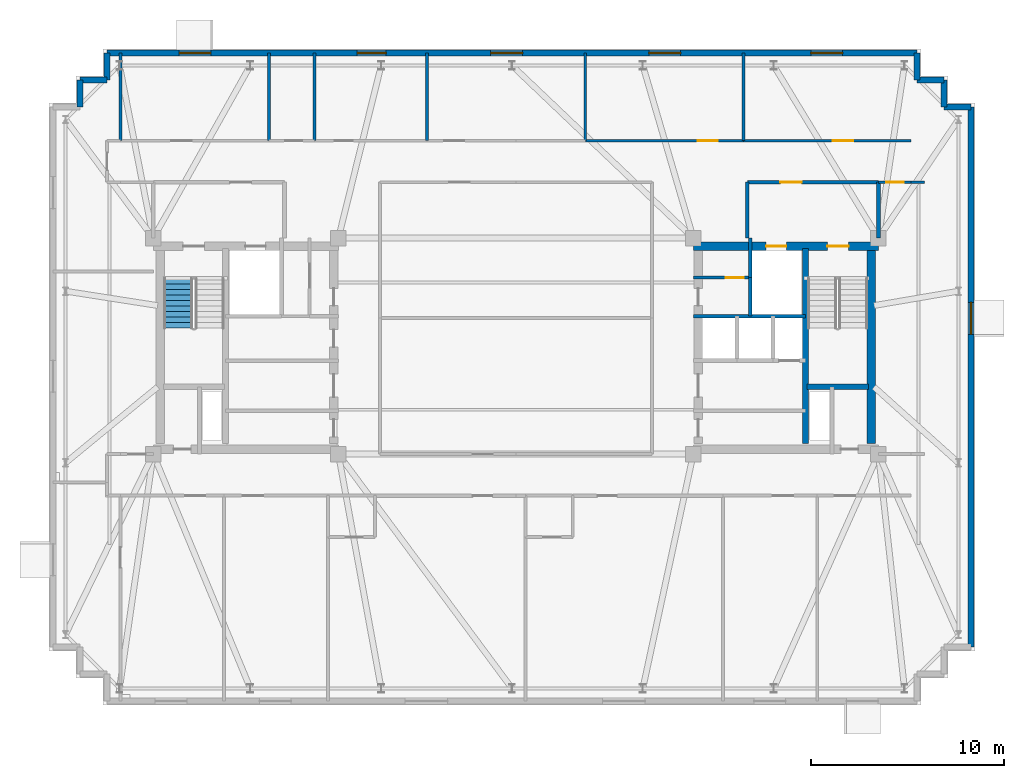
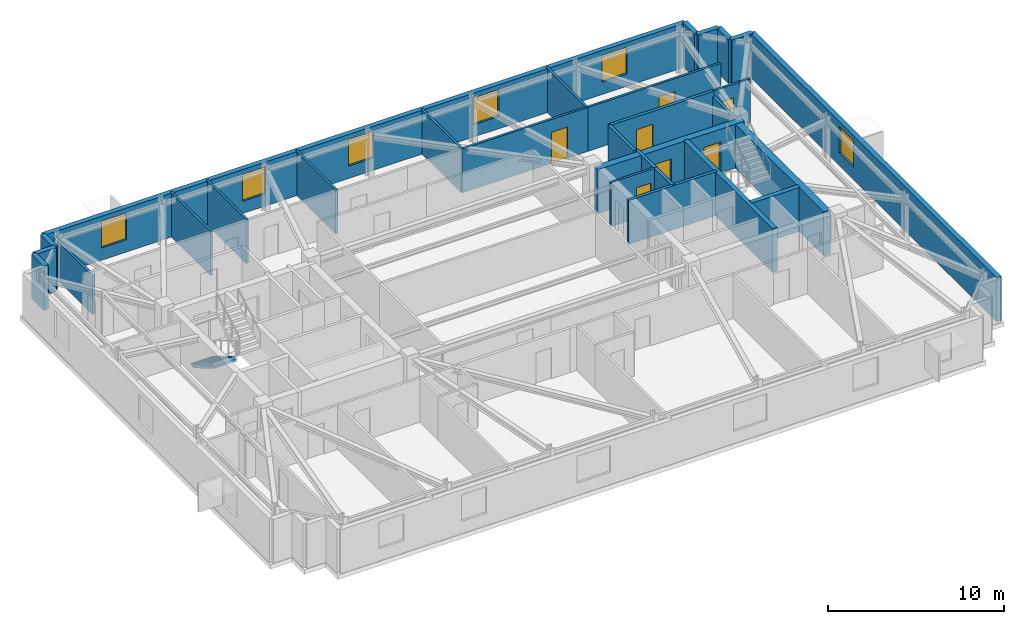
# One storey, part 8 of 11: 30 walls, 7 doors, 6 windows, 1 stair flight, 13 openings, 1 element without a shape of its own.
"""IFC4 building model written with IfcOpenShell, lengths in metres."""

from ifc_helpers import new_model, si_unit, direction, frame, frame_2d, origin, place, context, subcontext, project, spatial, polyline, rectangle, outline, extrude, material, layer, layer_set, type_object, element, fill, aggregate, save


model = new_model("IFC4")

# Units and contexts
model_context = context("Model", 3, precision=1e-05, world=origin(), true_north=direction((0.0, 1.0)))
body_context = subcontext(model_context, "Body", "Model", "MODEL_VIEW")
ifc_project = project(units=[si_unit("LENGTHUNIT", "METRE"), si_unit("AREAUNIT", "SQUARE_METRE"), si_unit("VOLUMEUNIT", "CUBIC_METRE"), si_unit("PLANEANGLEUNIT", "RADIAN"), si_unit("MASSUNIT", "GRAM", prefix="KILO")], contexts=[model_context])

# Site, building, storey
site_placement = place(None, origin())
site = spatial("IfcSite", under=ifc_project, at=site_placement, CompositionType="ELEMENT")
building_placement = place(site_placement, origin())
building = spatial("IfcBuilding", under=site, at=building_placement, Name="Qobustan Lattice House", CompositionType="ELEMENT")
storey_placement = place(building_placement, frame((0.0, 0.0, 255.10009765625)))
storey = spatial("IfcBuildingStorey", under=building, at=storey_placement, Name="L72", CompositionType="ELEMENT", Elevation=255.10009765625)

# Wall, openings, doors
ifc_material_1 = material(Name="Concrete C50/60", Category="concrete")
ifc_layer_1 = layer(ifc_material_1, 0.43994140625)
ifc_layer_set_1 = layer_set([ifc_layer_1], Name="Concrete C50/60")
wall_type_1 = type_object("IfcWallType", Name="WAL-CORE-440", PredefinedType="SHEAR", material=ifc_layer_set_1)
wall_1_placement = place(storey_placement, frame((9.199951171875, 5.179931640625, 0.0), z_axis=(0.0, 0.0, 1.0), x_axis=(1.0, 0.0, 0.0)))
wall_1 = element("IfcWall", 1, at=wall_1_placement, inside=storey, type_object=wall_type_1, Name="L72 split-core shear wall CE-N", PredefinedType="SHEAR", context=body_context, shape_type="SweptSolid", body=[
    extrude(rectangle(XDim=9.60009765625, YDim=0.43994140625, at=frame_2d((4.800048828125, 0.0))), origin(), (0.0, 0.0, 1.0), 3.039794921875),
])
opening_1_placement = place(wall_1_placement, frame((6.949951171875, 0.0, 0.0)))
opening_1 = element("IfcOpeningElement", 2, at=opening_1_placement, cuts=wall_1, Name="Opening SD-01", PredefinedType="OPENING", context=body_context, shape_type="SweptSolid", body=[
    extrude(rectangle(XDim=1.10009765625, YDim=2.14990234375, at=frame_2d((0.550048828125, 1.074951171875))), frame((0.0, 0.22998046875, 0.0), z_axis=(0.0, -1.0, 0.0), x_axis=(1.0, 0.0, 0.0)), (0.0, 0.0, 1.0), 0.4599609375),
])
opening_2_placement = place(wall_1_placement, frame((3.77490234375, 0.0, 0.0)))
opening_2 = element("IfcOpeningElement", 3, at=opening_2_placement, cuts=wall_1, Name="Opening LD-01", PredefinedType="OPENING", context=body_context, shape_type="SweptSolid", body=[
    extrude(rectangle(XDim=1.050048828125, YDim=2.10009765625, at=frame_2d((0.52490234375, 1.050048828125))), frame((0.0, 0.22998046875, 0.0), z_axis=(0.0, -1.0, 0.0), x_axis=(1.0, 0.0, 0.0)), (0.0, 0.0, 1.0), 0.4599609375),
])
ifc_material_2 = material(Name="Persian walnut timber and steel frame door", Category="steel")
door_type_1 = type_object("IfcDoorType", Name="DOR-LIFT-LD-1050x2100", OperationType="NOTDEFINED", PredefinedType="DOOR", material=ifc_material_2)
door_1_placement = place(opening_2_placement, origin())
door_1 = element("IfcDoor", 4, at=door_1_placement, inside=storey, type_object=door_type_1, Name="L72 firefighting lift FF-E landing door", OperationType="DOUBLE_DOOR_SLIDING", OverallHeight=2.10009765625, OverallWidth=1.050048828125, PredefinedType="DOOR", context=body_context, shape_type="SweptSolid", body=[
    extrude(rectangle(XDim=1.050048828125, YDim=2.10009765625, at=frame_2d((0.52490234375, 1.050048828125))), frame((0.0, 0.02490234375, 0.0), z_axis=(0.0, -1.0, 0.0), x_axis=(1.0, 0.0, 0.0)), (0.0, 0.0, 1.0), 0.050048828125),
])
fill(opening_2, door_1)
ifc_material_3 = material(Name="Persian walnut timber and steel frame door", Category="steel")
door_type_2 = type_object("IfcDoorType", Name="DOR-STAIR-FD-1100x2150", OperationType="NOTDEFINED", PredefinedType="DOOR", material=ifc_material_3)
door_2_placement = place(opening_1_placement, origin())
door_2 = element("IfcDoor", 5, at=door_2_placement, inside=storey, type_object=door_type_2, Name="L72 exit stair ST-E1 fire door", OperationType="SINGLE_SWING_LEFT", OverallHeight=2.14990234375, OverallWidth=1.10009765625, PredefinedType="DOOR", context=body_context, shape_type="SweptSolid", body=[
    extrude(rectangle(XDim=1.10009765625, YDim=2.14990234375, at=frame_2d((0.550048828125, 1.074951171875))), frame((0.0, 0.02490234375, 0.0), z_axis=(0.0, -1.0, 0.0), x_axis=(1.0, 0.0, 0.0)), (0.0, 0.0, 1.0), 0.050048828125),
])
fill(opening_1, door_2)

# Walls
wall_2_placement = place(storey_placement, frame((18.429931640625, -5.050048828125, 0.0), z_axis=(0.0, 0.0, 1.0), x_axis=(0.0, 1.0, 0.0)))
element("IfcWall", 6, at=wall_2_placement, inside=storey, type_object=wall_type_1, Name="L72 split-core shear wall CE-E", PredefinedType="SHEAR", context=body_context, shape_type="SweptSolid", body=[
    extrude(rectangle(XDim=10.10009765625, YDim=0.43994140625, at=frame_2d((5.050048828125, 0.0))), origin(), (0.0, 0.0, 1.0), 3.039794921875),
])
ifc_material_4 = material(Name="Concrete C50/60", Category="concrete")
ifc_layer_2 = layer(ifc_material_4, 0.280029296875)
ifc_layer_set_2 = layer_set([ifc_layer_2], Name="Concrete C50/60")
wall_type_2 = type_object("IfcWallType", Name="WAL-CORE-SPINE-280", PredefinedType="SHEAR", material=ifc_layer_set_2)
wall_3_placement = place(storey_placement, frame((15.02001953125, -5.050048828125, 0.0), z_axis=(0.0, 0.0, 1.0), x_axis=(0.0, 1.0, 0.0)))
element("IfcWall", 7, at=wall_3_placement, inside=storey, type_object=wall_type_2, Name="L72 split-core shear wall CE-M", PredefinedType="SHEAR", context=body_context, shape_type="SweptSolid", body=[
    extrude(rectangle(XDim=10.10009765625, YDim=0.300048828125, at=frame_2d((5.050048828125, 0.0))), origin(), (0.0, 0.0, 1.0), 3.039794921875),
])
wall_4_placement = place(storey_placement, frame((15.10009765625, -2.110107421875, 0.0), z_axis=(0.0, 0.0, 1.0), x_axis=(1.0, 0.0, 0.0)))
element("IfcWall", 8, at=wall_4_placement, inside=storey, type_object=wall_type_2, Name="L72 split-core shear wall CE-ST", PredefinedType="SHEAR", context=body_context, shape_type="SweptSolid", body=[
    extrude(rectangle(XDim=3.179931640625, YDim=0.300048828125, at=frame_2d((1.58984375, 0.0))), origin(), (0.0, 0.0, 1.0), 3.039794921875),
])
ifc_material_5 = material(Name="Precast concrete C40/50", Category="concrete")
ifc_layer_3 = layer(ifc_material_5, 0.320068359375)
ifc_layer_set_3 = layer_set([ifc_layer_3], Name="Precast concrete C40/50")
wall_type_3 = type_object("IfcWallType", Name="WAL-EXT-STONE-320", PredefinedType="SOLIDWALL", material=ifc_layer_set_3)
for number, where, z_axis, x_axis, name in (
    (9, (-22.60009765625, 12.39990234375, 0.0), (0.0, 0.0, 1.0), (0.0, 1.0, 0.0), "L72 exterior limestone-clad wall 7"),
    (10, (-22.60009765625, 13.800048828125, 0.0), (0.0, 0.0, 1.0), (1.0, 0.0, 0.0), "L72 exterior limestone-clad wall 8"),
):
    element("IfcWall", number, at=place(storey_placement, frame(where, z_axis=z_axis, x_axis=x_axis)), inside=storey, type_object=wall_type_3, Name=name, PredefinedType="SOLIDWALL", context=body_context, shape_type="SweptSolid", body=[
        extrude(rectangle(XDim=1.400146484375, YDim=0.320068359375, at=frame_2d((0.7001953125, 0.0))), origin(), (0.0, 0.0, 1.0), 3.039794921875),
    ])
wall_5_placement = place(storey_placement, frame((-21.199951171875, 13.800048828125, 0.0), z_axis=(0.0, 0.0, 1.0), x_axis=(0.0, 1.0, 0.0)))
element("IfcWall", 11, at=wall_5_placement, inside=storey, type_object=wall_type_3, Name="L72 exterior limestone-clad wall 9", PredefinedType="SOLIDWALL", context=body_context, shape_type="SweptSolid", body=[
    extrude(rectangle(XDim=1.39990234375, YDim=0.320068359375, at=frame_2d((0.699951171875, 0.0))), origin(), (0.0, 0.0, 1.0), 3.039794921875),
])

# Wall, openings, windows
wall_6_placement = place(storey_placement, frame((-21.199951171875, 15.199951171875, 0.0), z_axis=(0.0, 0.0, 1.0), x_axis=(1.0, 0.0, 0.0)))
wall_6 = element("IfcWall", 12, at=wall_6_placement, inside=storey, type_object=wall_type_3, Name="L72 exterior limestone-clad wall 10", PredefinedType="SOLIDWALL", context=body_context, shape_type="SweptSolid", body=[
    extrude(rectangle(XDim=42.0, YDim=0.320068359375, at=frame_2d((21.0, 0.0))), origin(), (0.0, 0.0, 1.0), 3.039794921875),
])
opening_3_placement = place(wall_6_placement, frame((3.735107421875, 0.0, 0.85009765625)))
opening_3 = element("IfcOpeningElement", 13, at=opening_3_placement, cuts=wall_6, Name="Opening WN-09", PredefinedType="OPENING", context=body_context, shape_type="SweptSolid", body=[
    extrude(rectangle(XDim=1.64990234375, YDim=1.85009765625, at=frame_2d((0.824951171875, 0.925048828125))), frame((0.0, 0.169921875, 0.0), z_axis=(0.0, -1.0, 0.0), x_axis=(1.0, 0.0, 0.0)), (0.0, 0.0, 1.0), 0.340087890625),
])
opening_4_placement = place(wall_6_placement, frame((12.969970703125, 0.0, 0.85009765625)))
opening_4 = element("IfcOpeningElement", 14, at=opening_4_placement, cuts=wall_6, Name="Opening WN-01", PredefinedType="OPENING", context=body_context, shape_type="SweptSolid", body=[
    extrude(rectangle(XDim=1.5, YDim=1.85009765625, at=frame_2d((0.75, 0.925048828125))), frame((0.0, 0.169921875, 0.0), z_axis=(0.0, -1.0, 0.0), x_axis=(1.0, 0.0, 0.0)), (0.0, 0.0, 1.0), 0.340087890625),
])
opening_5_placement = place(wall_6_placement, frame((19.89501953125, 0.0, 0.85009765625)))
opening_5 = element("IfcOpeningElement", 15, at=opening_5_placement, cuts=wall_6, Name="Opening WN-09", PredefinedType="OPENING", context=body_context, shape_type="SweptSolid", body=[
    extrude(rectangle(XDim=1.64990234375, YDim=1.85009765625, at=frame_2d((0.824951171875, 0.925048828125))), frame((0.0, 0.169921875, 0.0), z_axis=(0.0, -1.0, 0.0), x_axis=(1.0, 0.0, 0.0)), (0.0, 0.0, 1.0), 0.340087890625),
])
opening_6_placement = place(wall_6_placement, frame((28.094970703125, 0.0, 0.85009765625)))
opening_6 = element("IfcOpeningElement", 16, at=opening_6_placement, cuts=wall_6, Name="Opening WN-09", PredefinedType="OPENING", context=body_context, shape_type="SweptSolid", body=[
    extrude(rectangle(XDim=1.64990234375, YDim=1.85009765625, at=frame_2d((0.824951171875, 0.925048828125))), frame((0.0, 0.169921875, 0.0), z_axis=(0.0, -1.0, 0.0), x_axis=(1.0, 0.0, 0.0)), (0.0, 0.0, 1.0), 0.340087890625),
])
opening_7_placement = place(wall_6_placement, frame((36.4951171875, 0.0, 0.85009765625)))
opening_7 = element("IfcOpeningElement", 17, at=opening_7_placement, cuts=wall_6, Name="Opening WN-09", PredefinedType="OPENING", context=body_context, shape_type="SweptSolid", body=[
    extrude(rectangle(XDim=1.64990234375, YDim=1.85009765625, at=frame_2d((0.824951171875, 0.925048828125))), frame((0.0, 0.169921875, 0.0), z_axis=(0.0, -1.0, 0.0), x_axis=(1.0, 0.0, 0.0)), (0.0, 0.0, 1.0), 0.340087890625),
])
ifc_material_6 = material(Name="Double-glazed low-E aluminium window", Category="aluminium")
window_type_1 = type_object("IfcWindowType", Name="WIN-BED-1500x1850", PartitioningType="SINGLE_PANEL", PredefinedType="WINDOW", material=ifc_material_6)
window_1_placement = place(opening_4_placement, origin())
window_1 = element("IfcWindow", 18, at=window_1_placement, inside=storey, type_object=window_type_1, Name="L72 Laundry utility room window", OverallHeight=1.85009765625, OverallWidth=1.5, PartitioningType="SINGLE_PANEL", PredefinedType="WINDOW", context=body_context, shape_type="SweptSolid", body=[
    extrude(rectangle(XDim=1.5, YDim=1.85009765625, at=frame_2d((0.75, 0.925048828125))), frame((0.0, 0.030029296875, 0.0), z_axis=(0.0, -1.0, 0.0), x_axis=(1.0, 0.0, 0.0)), (0.0, 0.0, 1.0), 0.06005859375),
])
fill(opening_4, window_1)
ifc_material_7 = material(Name="Double-glazed low-E aluminium window", Category="aluminium")
window_type_2 = type_object("IfcWindowType", Name="WIN-STU-1650x1850", PartitioningType="SINGLE_PANEL", PredefinedType="WINDOW", material=ifc_material_7)
window_2_placement = place(opening_3_placement, origin())
window_2 = element("IfcWindow", 19, at=window_2_placement, inside=storey, type_object=window_type_2, Name="L72 Focus study room N1 window", OverallHeight=1.85009765625, OverallWidth=1.64990234375, PartitioningType="SINGLE_PANEL", PredefinedType="WINDOW", context=body_context, shape_type="SweptSolid", body=[
    extrude(rectangle(XDim=1.64990234375, YDim=1.85009765625, at=frame_2d((0.824951171875, 0.925048828125))), frame((0.0, 0.030029296875, 0.0), z_axis=(0.0, -1.0, 0.0), x_axis=(1.0, 0.0, 0.0)), (0.0, 0.0, 1.0), 0.06005859375),
])
fill(opening_3, window_2)
window_3_placement = place(opening_5_placement, origin())
window_3 = element("IfcWindow", 20, at=window_3_placement, inside=storey, type_object=window_type_2, Name="L72 Focus study room N3 window", OverallHeight=1.85009765625, OverallWidth=1.64990234375, PartitioningType="SINGLE_PANEL", PredefinedType="WINDOW", context=body_context, shape_type="SweptSolid", body=[
    extrude(rectangle(XDim=1.64990234375, YDim=1.85009765625, at=frame_2d((0.824951171875, 0.925048828125))), frame((0.0, 0.030029296875, 0.0), z_axis=(0.0, -1.0, 0.0), x_axis=(1.0, 0.0, 0.0)), (0.0, 0.0, 1.0), 0.06005859375),
])
fill(opening_5, window_3)
window_4_placement = place(opening_6_placement, origin())
window_4 = element("IfcWindow", 21, at=window_4_placement, inside=storey, type_object=window_type_2, Name="L72 Focus study room N4 window", OverallHeight=1.85009765625, OverallWidth=1.64990234375, PartitioningType="SINGLE_PANEL", PredefinedType="WINDOW", context=body_context, shape_type="SweptSolid", body=[
    extrude(rectangle(XDim=1.64990234375, YDim=1.85009765625, at=frame_2d((0.824951171875, 0.925048828125))), frame((0.0, 0.030029296875, 0.0), z_axis=(0.0, -1.0, 0.0), x_axis=(1.0, 0.0, 0.0)), (0.0, 0.0, 1.0), 0.06005859375),
])
fill(opening_6, window_4)
window_5_placement = place(opening_7_placement, origin())
window_5 = element("IfcWindow", 22, at=window_5_placement, inside=storey, type_object=window_type_2, Name="L72 Focus study room N5 window", OverallHeight=1.85009765625, OverallWidth=1.64990234375, PartitioningType="SINGLE_PANEL", PredefinedType="WINDOW", context=body_context, shape_type="SweptSolid", body=[
    extrude(rectangle(XDim=1.64990234375, YDim=1.85009765625, at=frame_2d((0.824951171875, 0.925048828125))), frame((0.0, 0.030029296875, 0.0), z_axis=(0.0, -1.0, 0.0), x_axis=(1.0, 0.0, 0.0)), (0.0, 0.0, 1.0), 0.06005859375),
])
fill(opening_7, window_5)

# Walls
for number, where, z_axis, x_axis, name in (
    (23, (20.800048828125, 15.199951171875, 0.0), (0.0, 0.0, 1.0), (0.0, -1.0, 0.0), "L72 exterior limestone-clad wall 11"),
    (24, (20.800048828125, 13.800048828125, 0.0), (0.0, 0.0, 1.0), (1.0, 0.0, 0.0), "L72 exterior limestone-clad wall 12"),
):
    element("IfcWall", number, at=place(storey_placement, frame(where, z_axis=z_axis, x_axis=x_axis)), inside=storey, type_object=wall_type_3, Name=name, PredefinedType="SOLIDWALL", context=body_context, shape_type="SweptSolid", body=[
        extrude(rectangle(XDim=1.39990234375, YDim=0.320068359375, at=frame_2d((0.699951171875, 0.0))), origin(), (0.0, 0.0, 1.0), 3.039794921875),
    ])
for number, where, z_axis, x_axis, name in (
    (25, (22.199951171875, 13.800048828125, 0.0), (0.0, 0.0, 1.0), (0.0, -1.0, 0.0), "L72 exterior limestone-clad wall 13"),
    (26, (22.199951171875, 12.39990234375, 0.0), (0.0, 0.0, 1.0), (1.0, 0.0, 0.0), "L72 exterior limestone-clad wall 14"),
):
    element("IfcWall", number, at=place(storey_placement, frame(where, z_axis=z_axis, x_axis=x_axis)), inside=storey, type_object=wall_type_3, Name=name, PredefinedType="SOLIDWALL", context=body_context, shape_type="SweptSolid", body=[
        extrude(rectangle(XDim=1.400146484375, YDim=0.320068359375, at=frame_2d((0.7001953125, 0.0))), origin(), (0.0, 0.0, 1.0), 3.039794921875),
    ])

# Wall, opening, window
wall_7_placement = place(storey_placement, frame((23.60009765625, 12.39990234375, 0.0), z_axis=(0.0, 0.0, 1.0), x_axis=(0.0, -1.0, 0.0)))
wall_7 = element("IfcWall", 27, at=wall_7_placement, inside=storey, type_object=wall_type_3, Name="L72 exterior limestone-clad wall 15", PredefinedType="SOLIDWALL", context=body_context, shape_type="SweptSolid", body=[
    extrude(rectangle(XDim=28.0, YDim=0.320068359375, at=frame_2d((14.0, 0.0))), origin(), (0.0, 0.0, 1.0), 3.039794921875),
])
opening_8_placement = place(wall_7_placement, frame((10.135009765625, 0.0, 0.85009765625)))
opening_8 = element("IfcOpeningElement", 28, at=opening_8_placement, cuts=wall_7, Name="Opening WN-09", PredefinedType="OPENING", context=body_context, shape_type="SweptSolid", body=[
    extrude(rectangle(XDim=1.64990234375, YDim=1.85009765625, at=frame_2d((0.824951171875, 0.925048828125))), frame((0.0, 0.169921875, 0.0), z_axis=(0.0, -1.0, 0.0), x_axis=(1.0, 0.0, 0.0)), (0.0, 0.0, 1.0), 0.340087890625),
])
window_6_placement = place(opening_8_placement, origin())
window_6 = element("IfcWindow", 29, at=window_6_placement, inside=storey, type_object=window_type_2, Name="L72 Communal study lounge window", OverallHeight=1.85009765625, OverallWidth=1.64990234375, PartitioningType="SINGLE_PANEL", PredefinedType="WINDOW", context=body_context, shape_type="SweptSolid", body=[
    extrude(rectangle(XDim=1.64990234375, YDim=1.85009765625, at=frame_2d((0.824951171875, 0.925048828125))), frame((0.0, 0.030029296875, 0.0), z_axis=(0.0, -1.0, 0.0), x_axis=(1.0, 0.0, 0.0)), (0.0, 0.0, 1.0), 0.06005859375),
])
fill(opening_8, window_6)

# Wall, opening, door
ifc_material_8 = material(Name="Acoustic twin-stud gypsum partition", Category="gypsum")
ifc_layer_4 = layer(ifc_material_8, 0.14990234375)
ifc_layer_set_4 = layer_set([ifc_layer_4], Name="Acoustic twin-stud gypsum partition")
wall_type_4 = type_object("IfcWallType", Name="WAL-PART-150", PredefinedType="PARTITIONING", material=ifc_layer_set_4)
wall_8_placement = place(storey_placement, frame((12.14990234375, 3.550048828125, 0.0), z_axis=(0.0, 0.0, 1.0), x_axis=(-1.0, 0.0, 0.0)))
wall_8 = element("IfcWall", 30, at=wall_8_placement, inside=storey, type_object=wall_type_4, Name="L72 interior partition 21", PredefinedType="PARTITIONING", context=body_context, shape_type="SweptSolid", body=[
    extrude(rectangle(XDim=2.949951171875, YDim=0.14990234375, at=frame_2d((1.47509765625, 0.0))), origin(), (0.0, 0.0, 1.0), 3.039794921875),
])
opening_9_placement = place(wall_8_placement, frame((0.324951171875, 0.0, 0.0)))
opening_9 = element("IfcOpeningElement", 31, at=opening_9_placement, cuts=wall_8, Name="Opening ID-01", PredefinedType="OPENING", context=body_context, shape_type="SweptSolid", body=[
    extrude(rectangle(XDim=0.949951171875, YDim=2.10009765625, at=frame_2d((0.47509765625, 1.050048828125))), frame((0.0, 0.0849609375, 0.0), z_axis=(0.0, -1.0, 0.0), x_axis=(1.0, 0.0, 0.0)), (0.0, 0.0, 1.0), 0.169921875),
])
ifc_material_9 = material(Name="Persian walnut timber and steel frame door", Category="steel")
door_type_3 = type_object("IfcDoorType", Name="DOR-ROOM-950x2100", OperationType="NOTDEFINED", PredefinedType="DOOR", material=ifc_material_9)
door_3_placement = place(opening_9_placement, origin())
door_3 = element("IfcDoor", 32, at=door_3_placement, inside=storey, type_object=door_type_3, Name="L72 Housekeeping utility foyer to Cleaner cupboard door", OperationType="SINGLE_SWING_LEFT", OverallHeight=2.10009765625, OverallWidth=0.949951171875, PredefinedType="DOOR", context=body_context, shape_type="SweptSolid", body=[
    extrude(rectangle(XDim=0.949951171875, YDim=2.10009765625, at=frame_2d((0.47509765625, 1.050048828125))), frame((0.0, 0.02490234375, 0.0), z_axis=(0.0, -1.0, 0.0), x_axis=(1.0, 0.0, 0.0)), (0.0, 0.0, 1.0), 0.050048828125),
])
fill(opening_9, door_3)

wall_9_placement = place(storey_placement, frame((20.5, 8.5, 0.0), z_axis=(0.0, 0.0, 1.0), x_axis=(-1.0, 0.0, 0.0)))
wall_9 = element("IfcWall", 33, at=wall_9_placement, inside=storey, type_object=wall_type_4, Name="L72 interior partition 40", PredefinedType="PARTITIONING", context=body_context, shape_type="SweptSolid", body=[
    extrude(rectangle(XDim=1.699951171875, YDim=0.14990234375, at=frame_2d((0.85009765625, 0.0))), origin(), (0.0, 0.0, 1.0), 3.039794921875),
])
opening_10_placement = place(wall_9_placement, frame((0.39990234375, 0.0, 0.0)))
opening_10 = element("IfcOpeningElement", 34, at=opening_10_placement, cuts=wall_9, Name="Opening WD-01", PredefinedType="OPENING", context=body_context, shape_type="SweptSolid", body=[
    extrude(rectangle(XDim=0.89990234375, YDim=2.10009765625, at=frame_2d((0.449951171875, 1.050048828125))), frame((0.0, 0.0849609375, 0.0), z_axis=(0.0, -1.0, 0.0), x_axis=(1.0, 0.0, 0.0)), (0.0, 0.0, 1.0), 0.169921875),
])
ifc_material_10 = material(Name="Persian walnut timber and steel frame door", Category="steel")
door_type_4 = type_object("IfcDoorType", Name="DOR-WET-900x2100", OperationType="NOTDEFINED", PredefinedType="DOOR", material=ifc_material_10)
door_4_placement = place(opening_10_placement, origin())
door_4 = element("IfcDoor", 35, at=door_4_placement, inside=storey, type_object=door_type_4, Name="L72 North-east floor corridor to Communal study lounge door", OperationType="SINGLE_SWING_LEFT", OverallHeight=2.10009765625, OverallWidth=0.89990234375, PredefinedType="DOOR", context=body_context, shape_type="SweptSolid", body=[
    extrude(rectangle(XDim=0.89990234375, YDim=2.10009765625, at=frame_2d((0.449951171875, 1.050048828125))), frame((0.0, 0.02490234375, 0.0), z_axis=(0.0, -1.0, 0.0), x_axis=(1.0, 0.0, 0.0)), (0.0, 0.0, 1.0), 0.050048828125),
])
fill(opening_10, door_4)

# Wall
wall_10_placement = place(storey_placement, frame((21.199951171875, 8.5, 0.0), z_axis=(0.0, 0.0, 1.0), x_axis=(-1.0, 0.0, 0.0)))
element("IfcWall", 36, at=wall_10_placement, inside=storey, type_object=wall_type_4, Name="L72 interior partition 41", PredefinedType="PARTITIONING", context=body_context, shape_type="SweptSolid", body=[
    extrude(rectangle(XDim=0.699951171875, YDim=0.14990234375, at=frame_2d((0.35009765625, 0.0))), origin(), (0.0, 0.0, 1.0), 3.039794921875),
])

# Wall, opening, door
wall_11_placement = place(storey_placement, frame((3.60009765625, 10.64990234375, 0.0), z_axis=(0.0, 0.0, 1.0), x_axis=(1.0, 0.0, 0.0)))
wall_11 = element("IfcWall", 37, at=wall_11_placement, inside=storey, type_object=wall_type_4, Name="L72 interior partition 43", PredefinedType="PARTITIONING", context=body_context, shape_type="SweptSolid", body=[
    extrude(rectangle(XDim=8.199951171875, YDim=0.14990234375, at=frame_2d((4.10009765625, 0.0))), origin(), (0.0, 0.0, 1.0), 3.039794921875),
])
opening_11_placement = place(wall_11_placement, frame((5.8212890625, 0.0, 0.0)))
opening_11 = element("IfcOpeningElement", 38, at=opening_11_placement, cuts=wall_11, Name="Opening ID-02", PredefinedType="OPENING", context=body_context, shape_type="SweptSolid", body=[
    extrude(rectangle(XDim=1.050048828125, YDim=2.14990234375, at=frame_2d((0.52490234375, 1.074951171875))), frame((0.0, 0.0849609375, 0.0), z_axis=(0.0, -1.0, 0.0), x_axis=(1.0, 0.0, 0.0)), (0.0, 0.0, 1.0), 0.169921875),
])
ifc_material_11 = material(Name="Persian walnut timber and steel frame door", Category="steel")
door_type_5 = type_object("IfcDoorType", Name="DOR-STUDY-1050x2150", OperationType="NOTDEFINED", PredefinedType="DOOR", material=ifc_material_11)
door_5_placement = place(opening_11_placement, origin())
door_5 = element("IfcDoor", 39, at=door_5_placement, inside=storey, type_object=door_type_5, Name="L72 North-east floor corridor to Focus study room N4 door", OperationType="SINGLE_SWING_RIGHT", OverallHeight=2.14990234375, OverallWidth=1.050048828125, PredefinedType="DOOR", context=body_context, shape_type="SweptSolid", body=[
    extrude(rectangle(XDim=1.050048828125, YDim=2.14990234375, at=frame_2d((0.52490234375, 1.074951171875))), frame((0.0, 0.02490234375, 0.0), z_axis=(0.0, -1.0, 0.0), x_axis=(1.0, 0.0, 0.0)), (0.0, 0.0, 1.0), 0.050048828125),
])
fill(opening_11, door_5)

wall_12_placement = place(storey_placement, frame((11.800048828125, 10.64990234375, 0.0), z_axis=(0.0, 0.0, 1.0), x_axis=(1.0, 0.0, 0.0)))
wall_12 = element("IfcWall", 40, at=wall_12_placement, inside=storey, type_object=wall_type_4, Name="L72 interior partition 44", PredefinedType="PARTITIONING", context=body_context, shape_type="SweptSolid", body=[
    extrude(rectangle(XDim=8.699951171875, YDim=0.14990234375, at=frame_2d((4.35009765625, 0.0))), origin(), (0.0, 0.0, 1.0), 3.039794921875),
])
opening_12_placement = place(wall_12_placement, frame((4.63623046875, 0.0, 0.0)))
opening_12 = element("IfcOpeningElement", 41, at=opening_12_placement, cuts=wall_12, Name="Opening ID-02", PredefinedType="OPENING", context=body_context, shape_type="SweptSolid", body=[
    extrude(rectangle(XDim=1.050048828125, YDim=2.14990234375, at=frame_2d((0.52490234375, 1.074951171875))), frame((0.0, 0.0849609375, 0.0), z_axis=(0.0, -1.0, 0.0), x_axis=(1.0, 0.0, 0.0)), (0.0, 0.0, 1.0), 0.169921875),
])
door_6_placement = place(opening_12_placement, origin())
door_6 = element("IfcDoor", 42, at=door_6_placement, inside=storey, type_object=door_type_5, Name="L72 North-east floor corridor to Focus study room N5 door", OperationType="SINGLE_SWING_LEFT", OverallHeight=2.14990234375, OverallWidth=1.050048828125, PredefinedType="DOOR", context=body_context, shape_type="SweptSolid", body=[
    extrude(rectangle(XDim=1.050048828125, YDim=2.14990234375, at=frame_2d((0.52490234375, 1.074951171875))), frame((0.0, 0.02490234375, 0.0), z_axis=(0.0, -1.0, 0.0), x_axis=(1.0, 0.0, 0.0)), (0.0, 0.0, 1.0), 0.050048828125),
])
fill(opening_12, door_6)

# Walls
wall_13_placement = place(storey_placement, frame((-20.5, 15.199951171875, 0.0), z_axis=(0.0, 0.0, 1.0), x_axis=(0.0, -1.0, 0.0)))
element("IfcWall", 43, at=wall_13_placement, inside=storey, type_object=wall_type_4, Name="L72 interior partition 71", PredefinedType="PARTITIONING", context=body_context, shape_type="SweptSolid", body=[
    extrude(rectangle(XDim=4.550048828125, YDim=0.14990234375, at=frame_2d((2.27490234375, 0.0))), origin(), (0.0, 0.0, 1.0), 2.664794921875),
])
for number, where, z_axis, x_axis, name in (
    (44, (-4.60009765625, 15.199951171875, 0.0), (0.0, 0.0, 1.0), (0.0, -1.0, 0.0), "L72 interior partition 74"),
    (45, (3.60009765625, 15.199951171875, 0.0), (0.0, 0.0, 1.0), (0.0, -1.0, 0.0), "L72 interior partition 75"),
    (46, (11.800048828125, 15.199951171875, 0.0), (0.0, 0.0, 1.0), (0.0, -1.0, 0.0), "L72 interior partition 76"),
):
    element("IfcWall", number, at=place(storey_placement, frame(where, z_axis=z_axis, x_axis=x_axis)), inside=storey, type_object=wall_type_4, Name=name, PredefinedType="PARTITIONING", context=body_context, shape_type="SweptSolid", body=[
        extrude(rectangle(XDim=4.550048828125, YDim=0.14990234375, at=frame_2d((2.27490234375, 0.0))), origin(), (0.0, 0.0, 1.0), 3.039794921875),
    ])

# Wall, opening, door
ifc_material_12 = material(Name="Two-hour gypsum fireboard acoustic partition", Category="gypsum")
ifc_layer_5 = layer(ifc_material_12, 0.199951171875)
ifc_layer_set_5 = layer_set([ifc_layer_5], Name="Two-hour gypsum fireboard acoustic partition")
wall_type_5 = type_object("IfcWallType", Name="WAL-PROT-200", PredefinedType="PARTITIONING", material=ifc_layer_set_5)
wall_14_placement = place(storey_placement, frame((18.800048828125, 8.5, 0.0), z_axis=(0.0, 0.0, 1.0), x_axis=(-1.0, 0.0, 0.0)))
wall_14 = element("IfcWall", 47, at=wall_14_placement, inside=storey, type_object=wall_type_5, Name="L72 interior partition 18", PredefinedType="PARTITIONING", context=body_context, shape_type="SweptSolid", body=[
    extrude(rectangle(XDim=6.800048828125, YDim=0.199951171875, at=frame_2d((3.39990234375, 0.0))), origin(), (0.0, 0.0, 1.0), 3.039794921875),
])
opening_13_placement = place(wall_14_placement, frame((3.985107421875, 0.0, 0.0)))
opening_13 = element("IfcOpeningElement", 48, at=opening_13_placement, cuts=wall_14, Name="Opening SD-01", PredefinedType="OPENING", context=body_context, shape_type="SweptSolid", body=[
    extrude(rectangle(XDim=1.10009765625, YDim=2.14990234375, at=frame_2d((0.550048828125, 1.074951171875))), frame((0.0, 0.10986328125, 0.0), z_axis=(0.0, -1.0, 0.0), x_axis=(1.0, 0.0, 0.0)), (0.0, 0.0, 1.0), 0.219970703125),
])
door_7_placement = place(opening_13_placement, origin())
door_7 = element("IfcDoor", 49, at=door_7_placement, inside=storey, type_object=door_type_2, Name="L72 East firefighting lift lobby to North-east floor corridor door", OperationType="SINGLE_SWING_RIGHT", OverallHeight=2.14990234375, OverallWidth=1.10009765625, PredefinedType="DOOR", context=body_context, shape_type="SweptSolid", body=[
    extrude(rectangle(XDim=1.10009765625, YDim=2.14990234375, at=frame_2d((0.550048828125, 1.074951171875))), frame((0.0, 0.02490234375, 0.0), z_axis=(0.0, -1.0, 0.0), x_axis=(1.0, 0.0, 0.0)), (0.0, 0.0, 1.0), 0.050048828125),
])
fill(opening_13, door_7)

# Walls
wall_15_placement = place(storey_placement, frame((12.0, 8.5, 0.0), z_axis=(0.0, 0.0, 1.0), x_axis=(0.0, -1.0, 0.0)))
element("IfcWall", 50, at=wall_15_placement, inside=storey, type_object=wall_type_5, Name="L72 interior partition 19", PredefinedType="PARTITIONING", context=body_context, shape_type="SweptSolid", body=[
    extrude(rectangle(XDim=2.89990234375, YDim=0.199951171875, at=frame_2d((1.449951171875, 0.0))), origin(), (0.0, 0.0, 1.0), 3.039794921875),
])
wall_16_placement = place(storey_placement, frame((18.800048828125, 5.60009765625, 0.0), z_axis=(0.0, 0.0, 1.0), x_axis=(0.0, 1.0, 0.0)))
element("IfcWall", 51, at=wall_16_placement, inside=storey, type_object=wall_type_5, Name="L72 interior partition 20", PredefinedType="PARTITIONING", context=body_context, shape_type="SweptSolid", body=[
    extrude(rectangle(XDim=2.89990234375, YDim=0.199951171875, at=frame_2d((1.449951171875, 0.0))), origin(), (0.0, 0.0, 1.0), 2.664794921875),
])
ifc_material_13 = material(Name="Concrete C40/50", Category="concrete")
ifc_layer_6 = layer(ifc_material_13, 0.199951171875)
ifc_layer_set_6 = layer_set([ifc_layer_6], Name="Concrete C40/50")
wall_type_6 = type_object("IfcWallType", Name="WAL-SHAFT-200", PredefinedType="PARTITIONING", material=ifc_layer_set_6)
wall_17_placement = place(storey_placement, frame((12.14990234375, 3.550048828125, 0.0), z_axis=(0.0, 0.0, 1.0), x_axis=(0.0, -1.0, 0.0)))
element("IfcWall", 52, at=wall_17_placement, inside=storey, type_object=wall_type_6, Name="L72 interior partition 16", PredefinedType="PARTITIONING", context=body_context, shape_type="SweptSolid", body=[
    extrude(rectangle(XDim=2.0, YDim=0.199951171875, at=frame_2d((1.0, 0.0))), origin(), (0.0, 0.0, 1.0), 3.039794921875),
])
wall_18_placement = place(storey_placement, frame((12.14990234375, 5.60009765625, 0.0), z_axis=(0.0, 0.0, 1.0), x_axis=(0.0, -1.0, 0.0)))
element("IfcWall", 53, at=wall_18_placement, inside=storey, type_object=wall_type_6, Name="L72 interior partition 17", PredefinedType="PARTITIONING", context=body_context, shape_type="SweptSolid", body=[
    extrude(rectangle(XDim=2.050048828125, YDim=0.199951171875, at=frame_2d((1.02490234375, 0.0))), origin(), (0.0, 0.0, 1.0), 3.039794921875),
])
wall_19_placement = place(storey_placement, frame((9.199951171875, 1.550048828125, 0.0), z_axis=(0.0, 0.0, 1.0), x_axis=(1.0, 0.0, 0.0)))
element("IfcWall", 54, at=wall_19_placement, inside=storey, type_object=wall_type_6, Name="L72 interior partition 90", PredefinedType="PARTITIONING", context=body_context, shape_type="SweptSolid", body=[
    extrude(rectangle(XDim=5.820068359375, YDim=0.199951171875, at=frame_2d((2.91015625, 0.0))), origin(), (0.0, 0.0, 1.0), 3.039794921875),
])
ifc_material_14 = material(Name="Moisture-resistant acoustic plumbing wall", Category="gypsum")
ifc_layer_7 = layer(ifc_material_14, 0.14990234375)
ifc_layer_set_7 = layer_set([ifc_layer_7], Name="Moisture-resistant acoustic plumbing wall")
wall_type_7 = type_object("IfcWallType", Name="WAL-WET-150", PredefinedType="PLUMBINGWALL", material=ifc_layer_set_7)
for number, where, z_axis, x_axis, name in (
    (55, (-12.800048828125, 15.199951171875, 0.0), (0.0, 0.0, 1.0), (0.0, -1.0, 0.0), "L72 interior partition 72"),
    (56, (-10.449951171875, 15.199951171875, 0.0), (0.0, 0.0, 1.0), (0.0, -1.0, 0.0), "L72 interior partition 73"),
):
    element("IfcWall", number, at=place(storey_placement, frame(where, z_axis=z_axis, x_axis=x_axis)), inside=storey, type_object=wall_type_7, Name=name, PredefinedType="PLUMBINGWALL", context=body_context, shape_type="SweptSolid", body=[
        extrude(rectangle(XDim=4.550048828125, YDim=0.14990234375, at=frame_2d((2.27490234375, 0.0))), origin(), (0.0, 0.0, 1.0), 3.039794921875),
    ])

# Stair, stair flight
ifc_material_15 = material(Name="Concrete C40/50", Category="concrete")
stair_type = type_object("IfcStairType", Name="STR-CORE-DOGLEG", PredefinedType="HALF_TURN_STAIR", material=ifc_material_15)
stair_placement = place(storey_placement, origin())
stair = element("IfcStair", 57, at=stair_placement, inside=storey, type_object=stair_type, Name="L72 West protected exit stair ST-W1", PredefinedType="HALF_TURN_STAIR")
ifc_material_16 = material(Name="Concrete C40/50", Category="concrete")
stair_flight_type = type_object("IfcStairFlightType", Name="SFL-RC-1500", PredefinedType="STRAIGHT", material=ifc_material_16)
stair_flight_placement = place(storey_placement, frame((-17.5, 3.5, 0.0), z_axis=(0.0, 0.0, 1.0), x_axis=(0.0, -1.0, 0.0)))
stair_flight = element("IfcStairFlight", 58, at=stair_flight_placement, type_object=stair_flight_type, Name="ST-W1 flight 1", NumberOfRisers=10, NumberOfTreads=9, PredefinedType="STRAIGHT", RiserHeight=0.1675, TreadLength=0.285, context=body_context, shape_type="SweptSolid", body=[
    extrude(outline(polyline([(0.0, 0.0), (0.0, 0.16748046875), (0.284912109375, 0.16748046875), (0.284912109375, 0.3349609375), (0.570068359375, 0.3349609375), (0.570068359375, 0.50244140625), (0.85498046875, 0.50244140625), (0.85498046875, 0.669921875), (1.139892578125, 0.669921875), (1.139892578125, 0.83740234375), (1.425048828125, 0.83740234375), (1.425048828125, 1.0048828125), (1.7099609375, 1.0048828125), (1.7099609375, 1.172607421875), (1.9951171875, 1.172607421875), (1.9951171875, 1.340087890625), (2.280029296875, 1.340087890625), (2.280029296875, 1.507568359375), (2.56494140625, 1.507568359375), (2.56494140625, 1.675048828125), (2.56494140625, 1.333740234375), (0.2958984375, 0.0), (0.0, 0.0)])), frame((0.0, 0.75, 0.0), z_axis=(0.0, -1.0, 0.0), x_axis=(1.0, 0.0, 0.0)), (0.0, 0.0, 1.0), 1.5),
])
aggregate(stair, [stair_flight])

save(model, "model.ifc")
